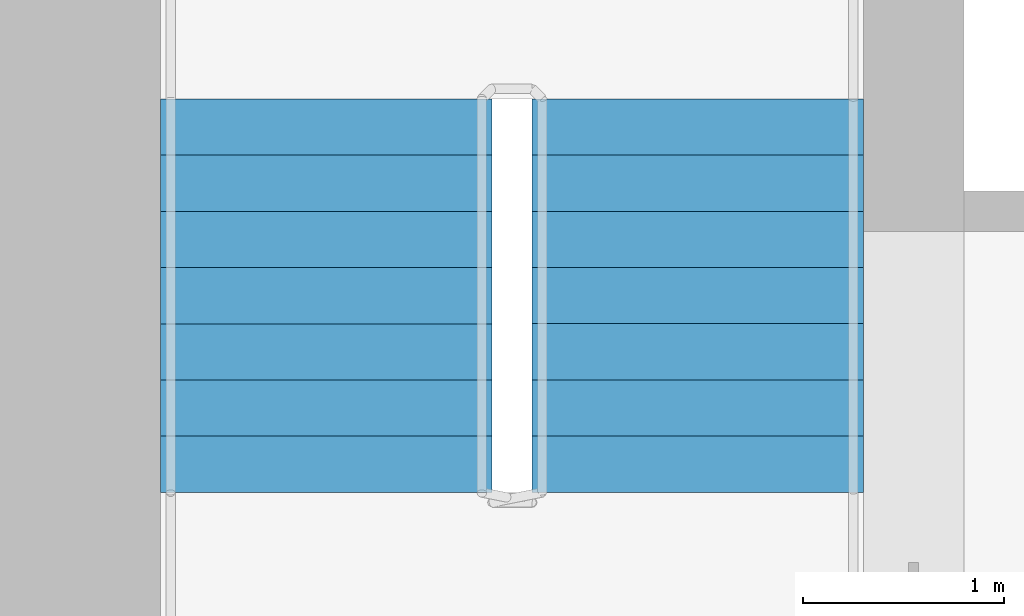
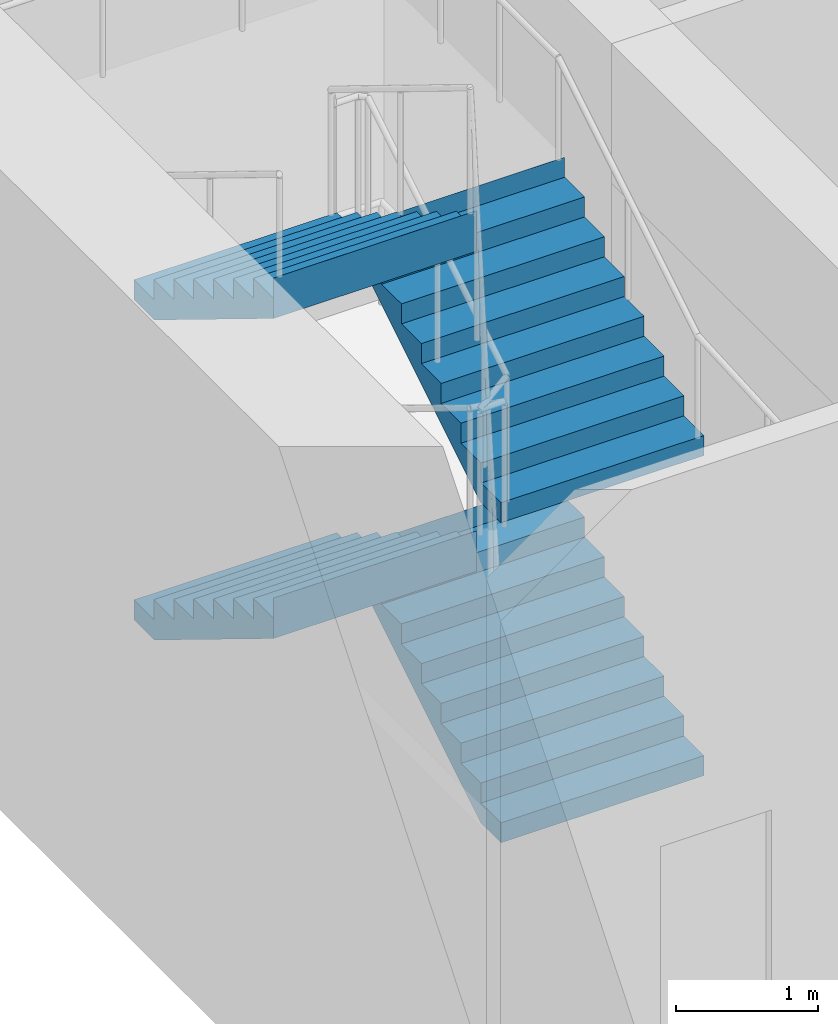
# One storey, part 8 of 10: 4 stair flights, 1 element without a shape of its own.
"""IFC4 building model written with IfcOpenShell, lengths in metres."""

from ifc_helpers import new_model, si_unit, direction, frame, origin, place, context, subcontext, project, spatial, polyline, outline, extrude, material, type_object, element, aggregate, save


model = new_model("IFC4")

# Units and contexts
model_context = context("Model", 3, precision=1e-05, world=origin(), true_north=direction((0.0, 1.0)))
body_context = subcontext(model_context, "Body", "Model", "MODEL_VIEW")
ifc_project = project(units=[si_unit("LENGTHUNIT", "METRE"), si_unit("AREAUNIT", "SQUARE_METRE"), si_unit("VOLUMEUNIT", "CUBIC_METRE"), si_unit("PLANEANGLEUNIT", "RADIAN"), si_unit("MASSUNIT", "GRAM", prefix="KILO")], contexts=[model_context])

# Site, building, storey
site_placement = place(None, origin())
site = spatial("IfcSite", under=ifc_project, at=site_placement, CompositionType="ELEMENT")
building_placement = place(site_placement, origin())
building = spatial("IfcBuilding", under=site, at=building_placement, Name="Tamorin Gate", CompositionType="ELEMENT")
storey_placement = place(building_placement, frame((0.0, 0.0, 73.60009765625)))
storey = spatial("IfcBuildingStorey", under=building, at=storey_placement, Name="L17", CompositionType="ELEMENT", Elevation=73.60009765625)

# Stair, stair flights
ifc_material = material(Name="Concrete C40/50", Category="concrete")
stair_type = type_object("IfcStairType", Name="Exit stair", PredefinedType="HALF_TURN_STAIR", material=ifc_material)
stair_placement = place(storey_placement, origin())
stair = element("IfcStair", 1, at=stair_placement, inside=storey, type_object=stair_type, Name="L17 stair ST2", PredefinedType="HALF_TURN_STAIR")
stair_flight_type = type_object("IfcStairFlightType", Name="Exit stair flight", PredefinedType="STRAIGHT", material=ifc_material)
stair_flight_1_placement = place(storey_placement, frame((33.675048828125, 77.0, 0.0), z_axis=(0.0, 0.0, 1.0), x_axis=(0.0, 1.0, 0.0)))
stair_flight_1 = element("IfcStairFlight", 2, at=stair_flight_1_placement, type_object=stair_flight_type, Name="ST2 flight 1", NumberOfRisers=8, NumberOfTreads=7, PredefinedType="STRAIGHT", RiserHeight=0.171875, TreadLength=0.28, context=body_context, shape_type="SweptSolid", body=[
    extrude(outline(polyline([(-0.00048828125, 0.0), (-0.00048828125, 0.001708984375), (-0.00048828125, 0.00341796875), (-0.00048828125, 0.005126953125), (-0.00048828125, 0.0068359375), (-0.00048828125, 0.008544921875), (-0.00048828125, 0.01025390625), (-0.00048828125, 0.011962890625), (-0.00048828125, 0.013671875), (-0.00048828125, 0.015380859375), (-0.00048828125, 0.01708984375), (-0.00048828125, 0.018798828125), (-0.00048828125, 0.0205078125), (-0.00048828125, 0.022216796875), (-0.00048828125, 0.02392578125), (-0.00048828125, 0.025634765625), (-0.00048828125, 0.02734375), (-0.00048828125, 0.02880859375), (-0.00048828125, 0.030517578125), (-0.00048828125, 0.0322265625), (-0.00048828125, 0.033935546875), (-0.00048828125, 0.03564453125), (-0.00048828125, 0.037353515625), (-0.00048828125, 0.0390625), (-0.00048828125, 0.040771484375), (-0.00048828125, 0.04248046875), (-0.00048828125, 0.044189453125), (-0.00048828125, 0.0458984375), (-0.00048828125, 0.047607421875), (-0.00048828125, 0.04931640625), (-0.00048828125, 0.051025390625), (-0.00048828125, 0.052734375), (-0.00048828125, 0.054443359375), (-0.00048828125, 0.05615234375), (-0.00048828125, 0.057861328125), (-0.00048828125, 0.0595703125), (-0.00048828125, 0.061279296875), (-0.00048828125, 0.06298828125), (-0.00048828125, 0.064697265625), (-0.00048828125, 0.06640625), (-0.00048828125, 0.068115234375), (-0.00048828125, 0.06982421875), (-0.00048828125, 0.071533203125), (-0.00048828125, 0.0732421875), (-0.00048828125, 0.074951171875), (-0.00048828125, 0.07666015625), (-0.00048828125, 0.078369140625), (-0.00048828125, 0.080078125), (-0.00048828125, 0.081787109375), (-0.00048828125, 0.08349609375), (-0.00048828125, 0.085205078125), (-0.00048828125, 0.086669921875), (-0.00048828125, 0.08837890625), (-0.00048828125, 0.090087890625), (-0.00048828125, 0.091796875), (-0.00048828125, 0.093505859375), (-0.00048828125, 0.09521484375), (-0.00048828125, 0.096923828125), (-0.00048828125, 0.0986328125), (-0.00048828125, 0.100341796875), (-0.00048828125, 0.10205078125), (-0.00048828125, 0.103759765625), (-0.00048828125, 0.10546875), (-0.00048828125, 0.107177734375), (-0.00048828125, 0.10888671875), (-0.00048828125, 0.110595703125), (-0.00048828125, 0.1123046875), (-0.00048828125, 0.114013671875), (-0.00048828125, 0.11572265625), (-0.00048828125, 0.117431640625), (-0.00048828125, 0.119140625), (-0.00048828125, 0.120849609375), (-0.00048828125, 0.12255859375), (-0.00048828125, 0.124267578125), (-0.00048828125, 0.1259765625), (-0.00048828125, 0.127685546875), (-0.00048828125, 0.12939453125), (-0.00048828125, 0.131103515625), (-0.00048828125, 0.1328125), (-0.00048828125, 0.134521484375), (-0.00048828125, 0.13623046875), (-0.00048828125, 0.137939453125), (-0.00048828125, 0.1396484375), (-0.00048828125, 0.141357421875), (-0.00048828125, 0.14306640625), (-0.00048828125, 0.14453125), (-0.00048828125, 0.146240234375), (-0.00048828125, 0.14794921875), (-0.00048828125, 0.149658203125), (-0.00048828125, 0.1513671875), (-0.00048828125, 0.153076171875), (-0.00048828125, 0.15478515625), (-0.00048828125, 0.156494140625), (-0.00048828125, 0.158203125), (-0.00048828125, 0.159912109375), (-0.00048828125, 0.16162109375), (-0.00048828125, 0.163330078125), (-0.00048828125, 0.1650390625), (-0.00048828125, 0.166748046875), (-0.00048828125, 0.16845703125), (-0.00048828125, 0.170166015625), (-0.00048828125, 0.171875), (0.280029296875, 0.171875), (0.280029296875, 0.34375), (0.56005859375, 0.34375), (0.56005859375, 0.515625), (0.840087890625, 0.515625), (0.840087890625, 0.6875), (1.1201171875, 0.6875), (1.1201171875, 0.859375), (1.39990234375, 0.859375), (1.39990234375, 1.03125), (1.679931640625, 1.03125), (1.679931640625, 1.203125), (1.9599609375, 1.203125), (1.9599609375, 1.375), (1.96044921875, 1.375), (1.96044921875, 1.37158203125), (1.96044921875, 1.3681640625), (1.96044921875, 1.36474609375), (1.96044921875, 1.361328125), (1.96044921875, 1.357666015625), (1.96044921875, 1.354248046875), (1.96044921875, 1.350830078125), (1.96044921875, 1.347412109375), (1.96044921875, 1.343994140625), (1.96044921875, 1.340576171875), (1.96044921875, 1.337158203125), (1.96044921875, 1.333740234375), (1.96044921875, 1.330322265625), (1.96044921875, 1.326904296875), (1.96044921875, 1.3232421875), (1.96044921875, 1.31982421875), (1.96044921875, 1.31640625), (1.96044921875, 1.31298828125), (1.96044921875, 1.3095703125), (1.96044921875, 1.30615234375), (1.96044921875, 1.302734375), (1.96044921875, 1.29931640625), (1.96044921875, 1.2958984375), (1.96044921875, 1.29248046875), (1.96044921875, 1.288818359375), (1.96044921875, 1.285400390625), (1.96044921875, 1.281982421875), (1.96044921875, 1.278564453125), (1.96044921875, 1.275146484375), (1.96044921875, 1.271728515625), (1.96044921875, 1.268310546875), (1.96044921875, 1.264892578125), (1.96044921875, 1.261474609375), (1.96044921875, 1.2578125), (1.96044921875, 1.25439453125), (1.96044921875, 1.2509765625), (1.96044921875, 1.24755859375), (1.96044921875, 1.244140625), (1.96044921875, 1.24072265625), (1.96044921875, 1.2373046875), (1.96044921875, 1.23388671875), (1.96044921875, 1.23046875), (1.96044921875, 1.22705078125), (1.96044921875, 1.223388671875), (1.96044921875, 1.219970703125), (1.96044921875, 1.216552734375), (1.96044921875, 1.213134765625), (1.96044921875, 1.209716796875), (1.96044921875, 1.206298828125), (1.96044921875, 1.202880859375), (1.96044921875, 1.199462890625), (1.96044921875, 1.196044921875), (1.96044921875, 1.192626953125), (1.96044921875, 1.18896484375), (1.96044921875, 1.185546875), (1.96044921875, 1.18212890625), (1.96044921875, 1.1787109375), (1.96044921875, 1.17529296875), (1.96044921875, 1.171875), (1.96044921875, 1.16845703125), (1.96044921875, 1.1650390625), (1.96044921875, 1.16162109375), (1.96044921875, 1.157958984375), (1.96044921875, 1.154541015625), (1.96044921875, 1.151123046875), (1.96044921875, 1.147705078125), (1.96044921875, 1.144287109375), (1.96044921875, 1.140869140625), (1.96044921875, 1.137451171875), (1.96044921875, 1.134033203125), (1.96044921875, 1.130615234375), (1.96044921875, 1.127197265625), (1.96044921875, 1.12353515625), (1.96044921875, 1.1201171875), (1.96044921875, 1.11669921875), (1.96044921875, 1.11328125), (1.96044921875, 1.10986328125), (1.96044921875, 1.1064453125), (1.96044921875, 1.10302734375), (1.96044921875, 1.099609375), (1.96044921875, 1.09619140625), (1.96044921875, 1.0927734375), (1.96044921875, 1.089111328125), (1.96044921875, 1.085693359375), (1.96044921875, 1.082275390625), (1.96044921875, 1.078857421875), (1.96044921875, 1.075439453125), (1.96044921875, 1.072021484375), (1.96044921875, 1.068603515625), (1.96044921875, 1.065185546875), (1.96044921875, 1.061767578125), (1.96044921875, 1.05810546875), (1.96044921875, 1.0546875), (1.96044921875, 1.05126953125), (1.96044921875, 1.0478515625), (1.96044921875, 1.04443359375), (1.96044921875, 1.041015625), (1.96044921875, 1.03759765625), (1.96044921875, 1.0341796875), (1.96044921875, 1.03076171875), (1.96044921875, 1.02734375), (1.9599609375, 1.02734375), (0.28662109375, 0.0), (-0.00048828125, 0.0)])), frame((0.0, 0.824951171875, 0.0), z_axis=(0.0, -1.0, 0.0), x_axis=(1.0, 0.0, 0.0)), (0.0, 0.0, 1.0), 1.64990234375),
])
stair_flight_2_placement = place(storey_placement, frame((31.824951171875, 78.9599609375, 1.375), z_axis=(0.0, 0.0, 1.0), x_axis=(0.0, -1.0, 0.0)))
stair_flight_2 = element("IfcStairFlight", 3, at=stair_flight_2_placement, type_object=stair_flight_type, Name="ST2 flight 2", NumberOfRisers=8, NumberOfTreads=7, PredefinedType="STRAIGHT", RiserHeight=0.171875, TreadLength=0.28, context=body_context, shape_type="SweptSolid", body=[
    extrude(outline(polyline([(-0.00048828125, 0.0), (-0.00048828125, 0.001708984375), (-0.00048828125, 0.00341796875), (-0.00048828125, 0.005126953125), (-0.00048828125, 0.0068359375), (-0.00048828125, 0.008544921875), (-0.00048828125, 0.01025390625), (-0.00048828125, 0.011962890625), (-0.00048828125, 0.013671875), (-0.00048828125, 0.015380859375), (-0.00048828125, 0.01708984375), (-0.00048828125, 0.018798828125), (-0.00048828125, 0.0205078125), (-0.00048828125, 0.022216796875), (-0.00048828125, 0.02392578125), (-0.00048828125, 0.025634765625), (-0.00048828125, 0.02734375), (-0.00048828125, 0.02880859375), (-0.00048828125, 0.030517578125), (-0.00048828125, 0.0322265625), (-0.00048828125, 0.033935546875), (-0.00048828125, 0.03564453125), (-0.00048828125, 0.037353515625), (-0.00048828125, 0.0390625), (-0.00048828125, 0.040771484375), (-0.00048828125, 0.04248046875), (-0.00048828125, 0.044189453125), (-0.00048828125, 0.0458984375), (-0.00048828125, 0.047607421875), (-0.00048828125, 0.04931640625), (-0.00048828125, 0.051025390625), (-0.00048828125, 0.052734375), (-0.00048828125, 0.054443359375), (-0.00048828125, 0.05615234375), (-0.00048828125, 0.057861328125), (-0.00048828125, 0.0595703125), (-0.00048828125, 0.061279296875), (-0.00048828125, 0.06298828125), (-0.00048828125, 0.064697265625), (-0.00048828125, 0.06640625), (-0.00048828125, 0.068115234375), (-0.00048828125, 0.06982421875), (-0.00048828125, 0.071533203125), (-0.00048828125, 0.0732421875), (-0.00048828125, 0.074951171875), (-0.00048828125, 0.07666015625), (-0.00048828125, 0.078369140625), (-0.00048828125, 0.080078125), (-0.00048828125, 0.081787109375), (-0.00048828125, 0.08349609375), (-0.00048828125, 0.085205078125), (-0.00048828125, 0.086669921875), (-0.00048828125, 0.08837890625), (-0.00048828125, 0.090087890625), (-0.00048828125, 0.091796875), (-0.00048828125, 0.093505859375), (-0.00048828125, 0.09521484375), (-0.00048828125, 0.096923828125), (-0.00048828125, 0.0986328125), (-0.00048828125, 0.100341796875), (-0.00048828125, 0.10205078125), (-0.00048828125, 0.103759765625), (-0.00048828125, 0.10546875), (-0.00048828125, 0.107177734375), (-0.00048828125, 0.10888671875), (-0.00048828125, 0.110595703125), (-0.00048828125, 0.1123046875), (-0.00048828125, 0.114013671875), (-0.00048828125, 0.11572265625), (-0.00048828125, 0.117431640625), (-0.00048828125, 0.119140625), (-0.00048828125, 0.120849609375), (-0.00048828125, 0.12255859375), (-0.00048828125, 0.124267578125), (-0.00048828125, 0.1259765625), (-0.00048828125, 0.127685546875), (-0.00048828125, 0.12939453125), (-0.00048828125, 0.131103515625), (-0.00048828125, 0.1328125), (-0.00048828125, 0.134521484375), (-0.00048828125, 0.13623046875), (-0.00048828125, 0.137939453125), (-0.00048828125, 0.1396484375), (-0.00048828125, 0.141357421875), (-0.00048828125, 0.14306640625), (-0.00048828125, 0.14453125), (-0.00048828125, 0.146240234375), (-0.00048828125, 0.14794921875), (-0.00048828125, 0.149658203125), (-0.00048828125, 0.1513671875), (-0.00048828125, 0.153076171875), (-0.00048828125, 0.15478515625), (-0.00048828125, 0.156494140625), (-0.00048828125, 0.158203125), (-0.00048828125, 0.159912109375), (-0.00048828125, 0.16162109375), (-0.00048828125, 0.163330078125), (-0.00048828125, 0.1650390625), (-0.00048828125, 0.166748046875), (-0.00048828125, 0.16845703125), (-0.00048828125, 0.170166015625), (-0.00048828125, 0.171875), (0.280029296875, 0.171875), (0.280029296875, 0.34375), (0.56005859375, 0.34375), (0.56005859375, 0.515625), (0.840087890625, 0.515625), (0.840087890625, 0.6875), (1.1201171875, 0.6875), (1.1201171875, 0.859375), (1.39990234375, 0.859375), (1.39990234375, 1.03125), (1.679931640625, 1.03125), (1.679931640625, 1.203125), (1.9599609375, 1.203125), (1.9599609375, 1.375), (1.96044921875, 1.375), (1.96044921875, 1.37158203125), (1.96044921875, 1.3681640625), (1.96044921875, 1.36474609375), (1.96044921875, 1.361328125), (1.96044921875, 1.357666015625), (1.96044921875, 1.354248046875), (1.96044921875, 1.350830078125), (1.96044921875, 1.347412109375), (1.96044921875, 1.343994140625), (1.96044921875, 1.340576171875), (1.96044921875, 1.337158203125), (1.96044921875, 1.333740234375), (1.96044921875, 1.330322265625), (1.96044921875, 1.326904296875), (1.96044921875, 1.3232421875), (1.96044921875, 1.31982421875), (1.96044921875, 1.31640625), (1.96044921875, 1.31298828125), (1.96044921875, 1.3095703125), (1.96044921875, 1.30615234375), (1.96044921875, 1.302734375), (1.96044921875, 1.29931640625), (1.96044921875, 1.2958984375), (1.96044921875, 1.29248046875), (1.96044921875, 1.288818359375), (1.96044921875, 1.285400390625), (1.96044921875, 1.281982421875), (1.96044921875, 1.278564453125), (1.96044921875, 1.275146484375), (1.96044921875, 1.271728515625), (1.96044921875, 1.268310546875), (1.96044921875, 1.264892578125), (1.96044921875, 1.261474609375), (1.96044921875, 1.2578125), (1.96044921875, 1.25439453125), (1.96044921875, 1.2509765625), (1.96044921875, 1.24755859375), (1.96044921875, 1.244140625), (1.96044921875, 1.24072265625), (1.96044921875, 1.2373046875), (1.96044921875, 1.23388671875), (1.96044921875, 1.23046875), (1.96044921875, 1.22705078125), (1.96044921875, 1.223388671875), (1.96044921875, 1.219970703125), (1.96044921875, 1.216552734375), (1.96044921875, 1.213134765625), (1.96044921875, 1.209716796875), (1.96044921875, 1.206298828125), (1.96044921875, 1.202880859375), (1.96044921875, 1.199462890625), (1.96044921875, 1.196044921875), (1.96044921875, 1.192626953125), (1.96044921875, 1.18896484375), (1.96044921875, 1.185546875), (1.96044921875, 1.18212890625), (1.96044921875, 1.1787109375), (1.96044921875, 1.17529296875), (1.96044921875, 1.171875), (1.96044921875, 1.16845703125), (1.96044921875, 1.1650390625), (1.96044921875, 1.16162109375), (1.96044921875, 1.157958984375), (1.96044921875, 1.154541015625), (1.96044921875, 1.151123046875), (1.96044921875, 1.147705078125), (1.96044921875, 1.144287109375), (1.96044921875, 1.140869140625), (1.96044921875, 1.137451171875), (1.96044921875, 1.134033203125), (1.96044921875, 1.130615234375), (1.96044921875, 1.127197265625), (1.96044921875, 1.12353515625), (1.96044921875, 1.1201171875), (1.96044921875, 1.11669921875), (1.96044921875, 1.11328125), (1.96044921875, 1.10986328125), (1.96044921875, 1.1064453125), (1.96044921875, 1.10302734375), (1.96044921875, 1.099609375), (1.96044921875, 1.09619140625), (1.96044921875, 1.0927734375), (1.96044921875, 1.089111328125), (1.96044921875, 1.085693359375), (1.96044921875, 1.082275390625), (1.96044921875, 1.078857421875), (1.96044921875, 1.075439453125), (1.96044921875, 1.072021484375), (1.96044921875, 1.068603515625), (1.96044921875, 1.065185546875), (1.96044921875, 1.061767578125), (1.96044921875, 1.05810546875), (1.96044921875, 1.0546875), (1.96044921875, 1.05126953125), (1.96044921875, 1.0478515625), (1.96044921875, 1.04443359375), (1.96044921875, 1.041015625), (1.96044921875, 1.03759765625), (1.96044921875, 1.0341796875), (1.96044921875, 1.03076171875), (1.96044921875, 1.02734375), (1.9599609375, 1.02734375), (0.28662109375, 0.0), (-0.00048828125, 0.0)])), frame((0.0, 0.824951171875, 0.0), z_axis=(0.0, -1.0, 0.0), x_axis=(1.0, 0.0, 0.0)), (0.0, 0.0, 1.0), 1.64990234375),
])
stair_flight_3_placement = place(storey_placement, frame((33.675048828125, 77.0, 2.75), z_axis=(0.0, 0.0, 1.0), x_axis=(0.0, 1.0, 0.0)))
stair_flight_3 = element("IfcStairFlight", 4, at=stair_flight_3_placement, type_object=stair_flight_type, Name="ST2 flight 3", NumberOfRisers=8, NumberOfTreads=7, PredefinedType="STRAIGHT", RiserHeight=0.171875, TreadLength=0.28, context=body_context, shape_type="SweptSolid", body=[
    extrude(outline(polyline([(-0.00048828125, 0.0), (-0.00048828125, 0.001708984375), (-0.00048828125, 0.00341796875), (-0.00048828125, 0.005126953125), (-0.00048828125, 0.0068359375), (-0.00048828125, 0.008544921875), (-0.00048828125, 0.01025390625), (-0.00048828125, 0.011962890625), (-0.00048828125, 0.013671875), (-0.00048828125, 0.015380859375), (-0.00048828125, 0.01708984375), (-0.00048828125, 0.018798828125), (-0.00048828125, 0.0205078125), (-0.00048828125, 0.022216796875), (-0.00048828125, 0.02392578125), (-0.00048828125, 0.025634765625), (-0.00048828125, 0.02734375), (-0.00048828125, 0.02880859375), (-0.00048828125, 0.030517578125), (-0.00048828125, 0.0322265625), (-0.00048828125, 0.033935546875), (-0.00048828125, 0.03564453125), (-0.00048828125, 0.037353515625), (-0.00048828125, 0.0390625), (-0.00048828125, 0.040771484375), (-0.00048828125, 0.04248046875), (-0.00048828125, 0.044189453125), (-0.00048828125, 0.0458984375), (-0.00048828125, 0.047607421875), (-0.00048828125, 0.04931640625), (-0.00048828125, 0.051025390625), (-0.00048828125, 0.052734375), (-0.00048828125, 0.054443359375), (-0.00048828125, 0.05615234375), (-0.00048828125, 0.057861328125), (-0.00048828125, 0.0595703125), (-0.00048828125, 0.061279296875), (-0.00048828125, 0.06298828125), (-0.00048828125, 0.064697265625), (-0.00048828125, 0.06640625), (-0.00048828125, 0.068115234375), (-0.00048828125, 0.06982421875), (-0.00048828125, 0.071533203125), (-0.00048828125, 0.0732421875), (-0.00048828125, 0.074951171875), (-0.00048828125, 0.07666015625), (-0.00048828125, 0.078369140625), (-0.00048828125, 0.080078125), (-0.00048828125, 0.081787109375), (-0.00048828125, 0.08349609375), (-0.00048828125, 0.085205078125), (-0.00048828125, 0.086669921875), (-0.00048828125, 0.08837890625), (-0.00048828125, 0.090087890625), (-0.00048828125, 0.091796875), (-0.00048828125, 0.093505859375), (-0.00048828125, 0.09521484375), (-0.00048828125, 0.096923828125), (-0.00048828125, 0.0986328125), (-0.00048828125, 0.100341796875), (-0.00048828125, 0.10205078125), (-0.00048828125, 0.103759765625), (-0.00048828125, 0.10546875), (-0.00048828125, 0.107177734375), (-0.00048828125, 0.10888671875), (-0.00048828125, 0.110595703125), (-0.00048828125, 0.1123046875), (-0.00048828125, 0.114013671875), (-0.00048828125, 0.11572265625), (-0.00048828125, 0.117431640625), (-0.00048828125, 0.119140625), (-0.00048828125, 0.120849609375), (-0.00048828125, 0.12255859375), (-0.00048828125, 0.124267578125), (-0.00048828125, 0.1259765625), (-0.00048828125, 0.127685546875), (-0.00048828125, 0.12939453125), (-0.00048828125, 0.131103515625), (-0.00048828125, 0.1328125), (-0.00048828125, 0.134521484375), (-0.00048828125, 0.13623046875), (-0.00048828125, 0.137939453125), (-0.00048828125, 0.1396484375), (-0.00048828125, 0.141357421875), (-0.00048828125, 0.14306640625), (-0.00048828125, 0.14453125), (-0.00048828125, 0.146240234375), (-0.00048828125, 0.14794921875), (-0.00048828125, 0.149658203125), (-0.00048828125, 0.1513671875), (-0.00048828125, 0.153076171875), (-0.00048828125, 0.15478515625), (-0.00048828125, 0.156494140625), (-0.00048828125, 0.158203125), (-0.00048828125, 0.159912109375), (-0.00048828125, 0.16162109375), (-0.00048828125, 0.163330078125), (-0.00048828125, 0.1650390625), (-0.00048828125, 0.166748046875), (-0.00048828125, 0.16845703125), (-0.00048828125, 0.170166015625), (-0.00048828125, 0.171875), (0.280029296875, 0.171875), (0.280029296875, 0.34375), (0.56005859375, 0.34375), (0.56005859375, 0.515625), (0.840087890625, 0.515625), (0.840087890625, 0.6875), (1.1201171875, 0.6875), (1.1201171875, 0.859375), (1.39990234375, 0.859375), (1.39990234375, 1.03125), (1.679931640625, 1.03125), (1.679931640625, 1.203125), (1.9599609375, 1.203125), (1.9599609375, 1.375), (1.96044921875, 1.375), (1.96044921875, 1.37158203125), (1.96044921875, 1.3681640625), (1.96044921875, 1.36474609375), (1.96044921875, 1.361328125), (1.96044921875, 1.357666015625), (1.96044921875, 1.354248046875), (1.96044921875, 1.350830078125), (1.96044921875, 1.347412109375), (1.96044921875, 1.343994140625), (1.96044921875, 1.340576171875), (1.96044921875, 1.337158203125), (1.96044921875, 1.333740234375), (1.96044921875, 1.330322265625), (1.96044921875, 1.326904296875), (1.96044921875, 1.3232421875), (1.96044921875, 1.31982421875), (1.96044921875, 1.31640625), (1.96044921875, 1.31298828125), (1.96044921875, 1.3095703125), (1.96044921875, 1.30615234375), (1.96044921875, 1.302734375), (1.96044921875, 1.29931640625), (1.96044921875, 1.2958984375), (1.96044921875, 1.29248046875), (1.96044921875, 1.288818359375), (1.96044921875, 1.285400390625), (1.96044921875, 1.281982421875), (1.96044921875, 1.278564453125), (1.96044921875, 1.275146484375), (1.96044921875, 1.271728515625), (1.96044921875, 1.268310546875), (1.96044921875, 1.264892578125), (1.96044921875, 1.261474609375), (1.96044921875, 1.2578125), (1.96044921875, 1.25439453125), (1.96044921875, 1.2509765625), (1.96044921875, 1.24755859375), (1.96044921875, 1.244140625), (1.96044921875, 1.24072265625), (1.96044921875, 1.2373046875), (1.96044921875, 1.23388671875), (1.96044921875, 1.23046875), (1.96044921875, 1.22705078125), (1.96044921875, 1.223388671875), (1.96044921875, 1.219970703125), (1.96044921875, 1.216552734375), (1.96044921875, 1.213134765625), (1.96044921875, 1.209716796875), (1.96044921875, 1.206298828125), (1.96044921875, 1.202880859375), (1.96044921875, 1.199462890625), (1.96044921875, 1.196044921875), (1.96044921875, 1.192626953125), (1.96044921875, 1.18896484375), (1.96044921875, 1.185546875), (1.96044921875, 1.18212890625), (1.96044921875, 1.1787109375), (1.96044921875, 1.17529296875), (1.96044921875, 1.171875), (1.96044921875, 1.16845703125), (1.96044921875, 1.1650390625), (1.96044921875, 1.16162109375), (1.96044921875, 1.157958984375), (1.96044921875, 1.154541015625), (1.96044921875, 1.151123046875), (1.96044921875, 1.147705078125), (1.96044921875, 1.144287109375), (1.96044921875, 1.140869140625), (1.96044921875, 1.137451171875), (1.96044921875, 1.134033203125), (1.96044921875, 1.130615234375), (1.96044921875, 1.127197265625), (1.96044921875, 1.12353515625), (1.96044921875, 1.1201171875), (1.96044921875, 1.11669921875), (1.96044921875, 1.11328125), (1.96044921875, 1.10986328125), (1.96044921875, 1.1064453125), (1.96044921875, 1.10302734375), (1.96044921875, 1.099609375), (1.96044921875, 1.09619140625), (1.96044921875, 1.0927734375), (1.96044921875, 1.089111328125), (1.96044921875, 1.085693359375), (1.96044921875, 1.082275390625), (1.96044921875, 1.078857421875), (1.96044921875, 1.075439453125), (1.96044921875, 1.072021484375), (1.96044921875, 1.068603515625), (1.96044921875, 1.065185546875), (1.96044921875, 1.061767578125), (1.96044921875, 1.05810546875), (1.96044921875, 1.0546875), (1.96044921875, 1.05126953125), (1.96044921875, 1.0478515625), (1.96044921875, 1.04443359375), (1.96044921875, 1.041015625), (1.96044921875, 1.03759765625), (1.96044921875, 1.0341796875), (1.96044921875, 1.03076171875), (1.96044921875, 1.02734375), (1.9599609375, 1.02734375), (0.28662109375, 0.0), (-0.00048828125, 0.0)])), frame((0.0, 0.824951171875, 0.0), z_axis=(0.0, -1.0, 0.0), x_axis=(1.0, 0.0, 0.0)), (0.0, 0.0, 1.0), 1.64990234375),
])
stair_flight_4_placement = place(storey_placement, frame((31.824951171875, 78.9599609375, 4.125), z_axis=(0.0, 0.0, 1.0), x_axis=(0.0, -1.0, 0.0)))
stair_flight_4 = element("IfcStairFlight", 5, at=stair_flight_4_placement, type_object=stair_flight_type, Name="ST2 flight 4", NumberOfRisers=8, NumberOfTreads=7, PredefinedType="STRAIGHT", RiserHeight=0.171875, TreadLength=0.28, context=body_context, shape_type="SweptSolid", body=[
    extrude(outline(polyline([(-0.00048828125, 0.0), (-0.00048828125, 0.001708984375), (-0.00048828125, 0.00341796875), (-0.00048828125, 0.005126953125), (-0.00048828125, 0.0068359375), (-0.00048828125, 0.008544921875), (-0.00048828125, 0.01025390625), (-0.00048828125, 0.011962890625), (-0.00048828125, 0.013671875), (-0.00048828125, 0.015380859375), (-0.00048828125, 0.01708984375), (-0.00048828125, 0.018798828125), (-0.00048828125, 0.0205078125), (-0.00048828125, 0.022216796875), (-0.00048828125, 0.02392578125), (-0.00048828125, 0.025634765625), (-0.00048828125, 0.02734375), (-0.00048828125, 0.02880859375), (-0.00048828125, 0.030517578125), (-0.00048828125, 0.0322265625), (-0.00048828125, 0.033935546875), (-0.00048828125, 0.03564453125), (-0.00048828125, 0.037353515625), (-0.00048828125, 0.0390625), (-0.00048828125, 0.040771484375), (-0.00048828125, 0.04248046875), (-0.00048828125, 0.044189453125), (-0.00048828125, 0.0458984375), (-0.00048828125, 0.047607421875), (-0.00048828125, 0.04931640625), (-0.00048828125, 0.051025390625), (-0.00048828125, 0.052734375), (-0.00048828125, 0.054443359375), (-0.00048828125, 0.05615234375), (-0.00048828125, 0.057861328125), (-0.00048828125, 0.0595703125), (-0.00048828125, 0.061279296875), (-0.00048828125, 0.06298828125), (-0.00048828125, 0.064697265625), (-0.00048828125, 0.06640625), (-0.00048828125, 0.068115234375), (-0.00048828125, 0.06982421875), (-0.00048828125, 0.071533203125), (-0.00048828125, 0.0732421875), (-0.00048828125, 0.074951171875), (-0.00048828125, 0.07666015625), (-0.00048828125, 0.078369140625), (-0.00048828125, 0.080078125), (-0.00048828125, 0.081787109375), (-0.00048828125, 0.08349609375), (-0.00048828125, 0.085205078125), (-0.00048828125, 0.086669921875), (-0.00048828125, 0.08837890625), (-0.00048828125, 0.090087890625), (-0.00048828125, 0.091796875), (-0.00048828125, 0.093505859375), (-0.00048828125, 0.09521484375), (-0.00048828125, 0.096923828125), (-0.00048828125, 0.0986328125), (-0.00048828125, 0.100341796875), (-0.00048828125, 0.10205078125), (-0.00048828125, 0.103759765625), (-0.00048828125, 0.10546875), (-0.00048828125, 0.107177734375), (-0.00048828125, 0.10888671875), (-0.00048828125, 0.110595703125), (-0.00048828125, 0.1123046875), (-0.00048828125, 0.114013671875), (-0.00048828125, 0.11572265625), (-0.00048828125, 0.117431640625), (-0.00048828125, 0.119140625), (-0.00048828125, 0.120849609375), (-0.00048828125, 0.12255859375), (-0.00048828125, 0.124267578125), (-0.00048828125, 0.1259765625), (-0.00048828125, 0.127685546875), (-0.00048828125, 0.12939453125), (-0.00048828125, 0.131103515625), (-0.00048828125, 0.1328125), (-0.00048828125, 0.134521484375), (-0.00048828125, 0.13623046875), (-0.00048828125, 0.137939453125), (-0.00048828125, 0.1396484375), (-0.00048828125, 0.141357421875), (-0.00048828125, 0.14306640625), (-0.00048828125, 0.14453125), (-0.00048828125, 0.146240234375), (-0.00048828125, 0.14794921875), (-0.00048828125, 0.149658203125), (-0.00048828125, 0.1513671875), (-0.00048828125, 0.153076171875), (-0.00048828125, 0.15478515625), (-0.00048828125, 0.156494140625), (-0.00048828125, 0.158203125), (-0.00048828125, 0.159912109375), (-0.00048828125, 0.16162109375), (-0.00048828125, 0.163330078125), (-0.00048828125, 0.1650390625), (-0.00048828125, 0.166748046875), (-0.00048828125, 0.16845703125), (-0.00048828125, 0.170166015625), (-0.00048828125, 0.171875), (0.280029296875, 0.171875), (0.280029296875, 0.34375), (0.56005859375, 0.34375), (0.56005859375, 0.515625), (0.840087890625, 0.515625), (0.840087890625, 0.6875), (1.1201171875, 0.6875), (1.1201171875, 0.859375), (1.39990234375, 0.859375), (1.39990234375, 1.03125), (1.679931640625, 1.03125), (1.679931640625, 1.203125), (1.9599609375, 1.203125), (1.9599609375, 1.375), (1.96044921875, 1.375), (1.96044921875, 1.37158203125), (1.96044921875, 1.3681640625), (1.96044921875, 1.36474609375), (1.96044921875, 1.361328125), (1.96044921875, 1.357666015625), (1.96044921875, 1.354248046875), (1.96044921875, 1.350830078125), (1.96044921875, 1.347412109375), (1.96044921875, 1.343994140625), (1.96044921875, 1.340576171875), (1.96044921875, 1.337158203125), (1.96044921875, 1.333740234375), (1.96044921875, 1.330322265625), (1.96044921875, 1.326904296875), (1.96044921875, 1.3232421875), (1.96044921875, 1.31982421875), (1.96044921875, 1.31640625), (1.96044921875, 1.31298828125), (1.96044921875, 1.3095703125), (1.96044921875, 1.30615234375), (1.96044921875, 1.302734375), (1.96044921875, 1.29931640625), (1.96044921875, 1.2958984375), (1.96044921875, 1.29248046875), (1.96044921875, 1.288818359375), (1.96044921875, 1.285400390625), (1.96044921875, 1.281982421875), (1.96044921875, 1.278564453125), (1.96044921875, 1.275146484375), (1.96044921875, 1.271728515625), (1.96044921875, 1.268310546875), (1.96044921875, 1.264892578125), (1.96044921875, 1.261474609375), (1.96044921875, 1.2578125), (1.96044921875, 1.25439453125), (1.96044921875, 1.2509765625), (1.96044921875, 1.24755859375), (1.96044921875, 1.244140625), (1.96044921875, 1.24072265625), (1.96044921875, 1.2373046875), (1.96044921875, 1.23388671875), (1.96044921875, 1.23046875), (1.96044921875, 1.22705078125), (1.96044921875, 1.223388671875), (1.96044921875, 1.219970703125), (1.96044921875, 1.216552734375), (1.96044921875, 1.213134765625), (1.96044921875, 1.209716796875), (1.96044921875, 1.206298828125), (1.96044921875, 1.202880859375), (1.96044921875, 1.199462890625), (1.96044921875, 1.196044921875), (1.96044921875, 1.192626953125), (1.96044921875, 1.18896484375), (1.96044921875, 1.185546875), (1.96044921875, 1.18212890625), (1.96044921875, 1.1787109375), (1.96044921875, 1.17529296875), (1.96044921875, 1.171875), (1.96044921875, 1.16845703125), (1.96044921875, 1.1650390625), (1.96044921875, 1.16162109375), (1.96044921875, 1.157958984375), (1.96044921875, 1.154541015625), (1.96044921875, 1.151123046875), (1.96044921875, 1.147705078125), (1.96044921875, 1.144287109375), (1.96044921875, 1.140869140625), (1.96044921875, 1.137451171875), (1.96044921875, 1.134033203125), (1.96044921875, 1.130615234375), (1.96044921875, 1.127197265625), (1.96044921875, 1.12353515625), (1.96044921875, 1.1201171875), (1.96044921875, 1.11669921875), (1.96044921875, 1.11328125), (1.96044921875, 1.10986328125), (1.96044921875, 1.1064453125), (1.96044921875, 1.10302734375), (1.96044921875, 1.099609375), (1.96044921875, 1.09619140625), (1.96044921875, 1.0927734375), (1.96044921875, 1.089111328125), (1.96044921875, 1.085693359375), (1.96044921875, 1.082275390625), (1.96044921875, 1.078857421875), (1.96044921875, 1.075439453125), (1.96044921875, 1.072021484375), (1.96044921875, 1.068603515625), (1.96044921875, 1.065185546875), (1.96044921875, 1.061767578125), (1.96044921875, 1.05810546875), (1.96044921875, 1.0546875), (1.96044921875, 1.05126953125), (1.96044921875, 1.0478515625), (1.96044921875, 1.04443359375), (1.96044921875, 1.041015625), (1.96044921875, 1.03759765625), (1.96044921875, 1.0341796875), (1.96044921875, 1.03076171875), (1.96044921875, 1.02734375), (1.9599609375, 1.02734375), (0.28662109375, 0.0), (-0.00048828125, 0.0)])), frame((0.0, 0.824951171875, 0.0), z_axis=(0.0, -1.0, 0.0), x_axis=(1.0, 0.0, 0.0)), (0.0, 0.0, 1.0), 1.64990234375),
])
aggregate(stair, [stair_flight_1, stair_flight_2, stair_flight_3, stair_flight_4])

save(model, "model.ifc")
